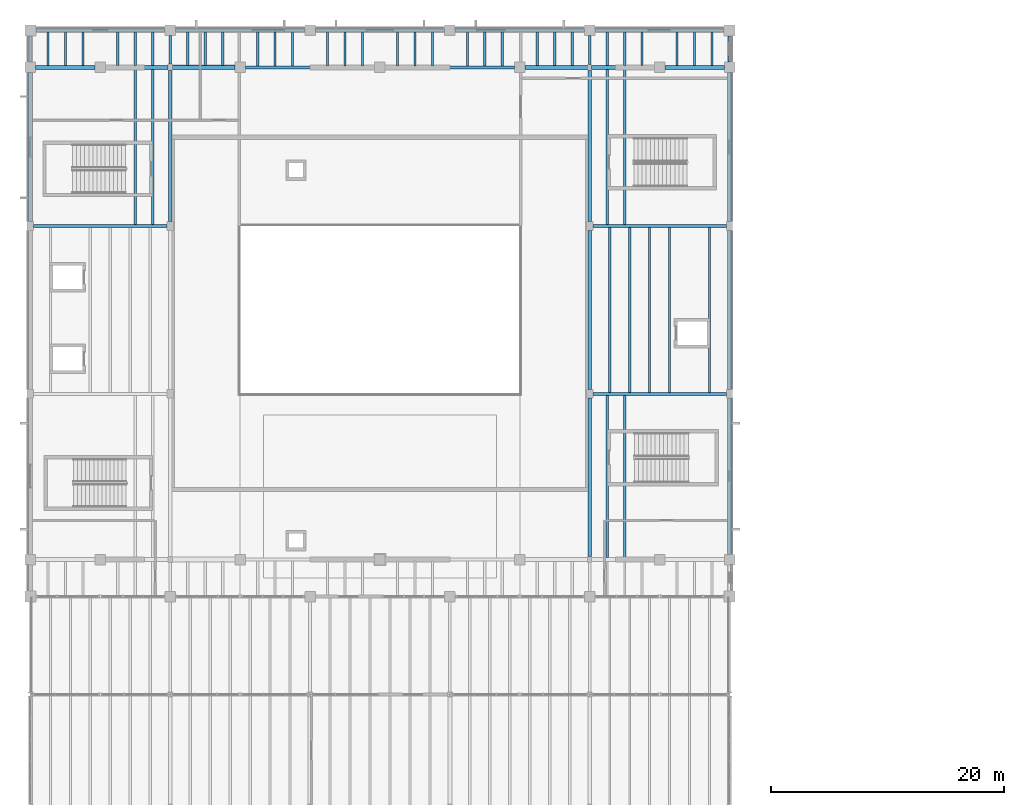
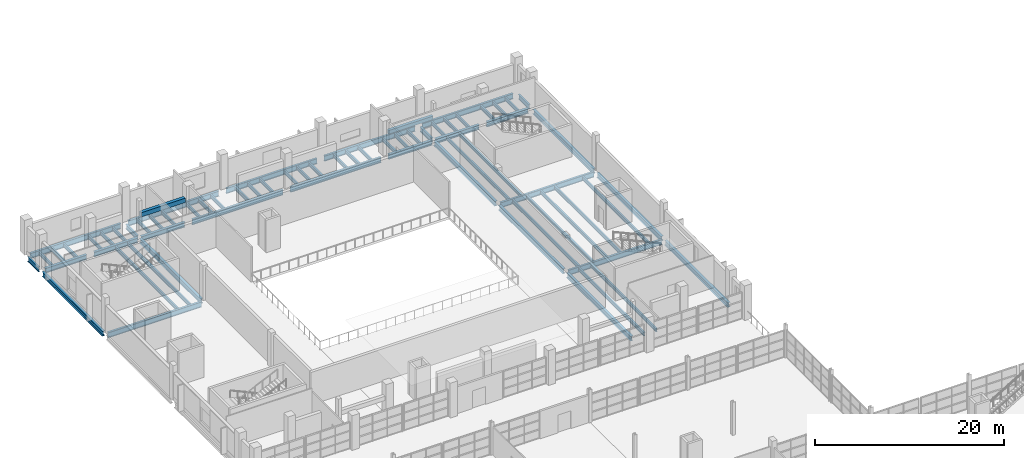
# One storey, part 61 of 114: 71 beams.
"""IFC4 building model written with IfcOpenShell, lengths in metres."""

import ifcopenshell
import ifcopenshell.guid

model = None  # the IFC model being written
_history = None  # IfcOwnerHistory: only IFC2X3 demands one
_inside = {}  # id of a spatial element -> (the spatial element, [elements in it])
_under = {}  # id of a project, library or spatial element -> (it, [spatial elements below it])
_declared = {}  # id of a project -> (the project, [libraries it declares])
_typed = {}  # id of a type object -> (the type object, [elements of that type])
_made_of = {}  # id of a material, layer set ... -> (it, [elements and type objects made of it])


def new_model(schema):
    """Start an empty IFC model of exactly this schema.

    Asked for "IFC4X3", IfcOpenShell would pick the latest addendum, in which some entities
    have other attributes; the version numbers below select the first issue.
    IFC2X3 requires an IfcOwnerHistory on every rooted entity: one is made here for all.
    """
    global model, _history
    if schema == "IFC4X3":
        model = ifcopenshell.file(schema_version=(4, 3, 0, 0))
    else:
        model = ifcopenshell.file(schema=schema)
    _inside.clear()
    _under.clear()
    _declared.clear()
    _typed.clear()
    _made_of.clear()
    _history = None
    if model.schema == "IFC2X3":
        org = make("IfcOrganization", Name="unknown")
        user = make(
            "IfcPersonAndOrganization",
            ThePerson=make("IfcPerson", FamilyName="unknown"),
            TheOrganization=org,
        )
        app = make(
            "IfcApplication",
            ApplicationDeveloper=org,
            Version="unknown",
            ApplicationFullName="unknown",
            ApplicationIdentifier="unknown",
        )
        _history = make(
            "IfcOwnerHistory",
            OwningUser=user,
            OwningApplication=app,
            ChangeAction="ADDED",
            CreationDate=0,
        )
    return model


def make(cls, **values):
    """One entity of the class cls with the attributes given. An attribute that is None is left unset."""
    return model.create_entity(
        cls, **{name: value for name, value in values.items() if value is not None}
    )


def rooted(cls, **values):
    """An entity with a GlobalId (a new one), such as an element, a storey or a relation."""
    return make(cls, GlobalId=ifcopenshell.guid.new(), OwnerHistory=_history, **values)


def si_unit(unit_type, name, prefix=None):
    """IfcSIUnit, for example si_unit("LENGTHUNIT", "METRE", prefix="MILLI")."""
    return make("IfcSIUnit", UnitType=unit_type, Prefix=prefix, Name=name)


def assignment(units):
    """IfcUnitAssignment: the units of a project."""
    return None if units is None else make("IfcUnitAssignment", Units=units)


def point(xyz):
    """IfcCartesianPoint."""
    return None if xyz is None else make("IfcCartesianPoint", Coordinates=xyz)


def direction(xyz):
    """IfcDirection."""
    return None if xyz is None else make("IfcDirection", DirectionRatios=xyz)


def frame(location, z_axis=None, x_axis=None):
    """IfcAxis2Placement3D, a coordinate frame: its origin and axes. An axis left out is left unset."""
    return make(
        "IfcAxis2Placement3D",
        Location=point(location),
        Axis=direction(z_axis),
        RefDirection=direction(x_axis),
    )


def frame_2d(location, x_axis=None):
    """IfcAxis2Placement2D, a coordinate frame in the plane: its origin and x axis."""
    return make(
        "IfcAxis2Placement2D", Location=point(location), RefDirection=direction(x_axis)
    )


def origin():
    """The frame at (0, 0, 0) with its axes left unset."""
    return frame((0.0, 0.0, 0.0))


def origin_2d():
    """The frame at (0, 0) in the plane with its x axis left unset."""
    return frame_2d((0.0, 0.0))


def place(relative_to, where):
    """IfcLocalPlacement: puts the frame where relative to a parent placement (None: the world)."""
    return make(
        "IfcLocalPlacement", PlacementRelTo=relative_to, RelativePlacement=where
    )


def context(
    kind, dimensions, precision=None, world=None, true_north=None, identifier=None
):
    """IfcGeometricRepresentationContext, for example the 3D "Model" context."""
    return make(
        "IfcGeometricRepresentationContext",
        ContextIdentifier=identifier,
        ContextType=kind,
        CoordinateSpaceDimension=dimensions,
        Precision=precision,
        WorldCoordinateSystem=world,
        TrueNorth=true_north,
    )


def subcontext(parent, identifier, kind, view, scale=None):
    """IfcGeometricRepresentationSubContext, for example "Body" below "Model"."""
    return make(
        "IfcGeometricRepresentationSubContext",
        ContextIdentifier=identifier,
        ContextType=kind,
        ParentContext=parent,
        TargetScale=scale,
        TargetView=view,
    )


def project(units=None, contexts=None):
    """IfcProject with its units and contexts."""
    return rooted(
        "IfcProject",
        Name="project",
        RepresentationContexts=contexts,
        UnitsInContext=assignment(units),
    )


def spatial(cls, under=None, at=None, **own):
    """A site, building, storey or space (cls), placed at a placement, below another one or the project."""
    s = rooted(cls, ObjectPlacement=at, **own)
    if under is not None:
        _under.setdefault(under.id(), (under, []))[1].append(s)
    return s


def profile(cls, at=None, kind="AREA", **sizes):
    """A parametric profile (cls). Its sizes go by their IFC names, for example OverallWidth=200.0."""
    return make(cls, ProfileType=kind, Position=at, **sizes)


def rectangle(**sizes):
    """IfcRectangleProfileDef."""
    return profile("IfcRectangleProfileDef", **sizes)


def i_section(**sizes):
    """IfcIShapeProfileDef."""
    return profile("IfcIShapeProfileDef", **sizes)


def extrude(swept, where, along, depth):
    """IfcExtrudedAreaSolid: the profile swept, set in the frame where, extruded along a direction by depth."""
    return make(
        "IfcExtrudedAreaSolid",
        SweptArea=swept,
        Position=where,
        ExtrudedDirection=direction(along),
        Depth=depth,
    )


def shape(context_of_items, identifier, shape_type, items):
    """IfcShapeRepresentation: the items that make up one representation, for example the "Body"."""
    return make(
        "IfcShapeRepresentation",
        ContextOfItems=context_of_items,
        RepresentationIdentifier=identifier,
        RepresentationType=shape_type,
        Items=items,
    )


def material(Name=None, Category=None):
    """IfcMaterial."""
    return make("IfcMaterial", Name=Name, Category=Category)


def material_profile(
    of_material, cross_section, Name=None, Category=None, Priority=None
):
    """IfcMaterialProfile: a cross section and its material."""
    return make(
        "IfcMaterialProfile",
        Name=Name,
        Material=of_material,
        Profile=cross_section,
        Priority=Priority,
        Category=Category,
    )


def profile_set(profiles, Name=None, composite=None):
    """IfcMaterialProfileSet."""
    return make(
        "IfcMaterialProfileSet",
        Name=Name,
        MaterialProfiles=profiles,
        CompositeProfile=composite,
    )


def made_of(thing, what):
    """Note that an element or type object is made of a material, layer set ...; save() writes the relation."""
    if what is not None:
        _made_of.setdefault(what.id(), (what, []))[1].append(thing)
    return thing


def type_object(cls, material=None, **own):
    """A type object (cls), such as IfcWallType, which elements share."""
    return made_of(rooted(cls, **own), material)


def element(
    cls,
    number,
    at=None,
    inside=None,
    cuts=None,
    type_object=None,
    material=None,
    context=None,
    identifier="Body",
    shape_type=None,
    held_by="IfcProductDefinitionShape",
    body=None,
    shapes=None,
    **own,
):
    """One element of the class cls, such as IfcWall. Its Tag is "e" and its number.

    at: its placement. inside: the storey or other place that contains it. cuts: it is an
    opening in that element (IfcRelVoidsElement). A single representation is given by context,
    identifier, shape_type and body (its items); several are given by shapes. held_by: the class
    of the entity that holds the representations. save() writes the other relations.
    """
    e = rooted(cls, Tag="e%d" % number, ObjectPlacement=at, **own)
    if body is not None:
        shapes = [shape(context, identifier, shape_type, body)]
    if shapes is not None:
        e.Representation = make(held_by, Representations=shapes)
    if inside is not None:
        _inside.setdefault(inside.id(), (inside, []))[1].append(e)
    if cuts is not None:
        rooted(
            "IfcRelVoidsElement", RelatingBuildingElement=cuts, RelatedOpeningElement=e
        )
    if type_object is not None:
        _typed.setdefault(type_object.id(), (type_object, []))[1].append(e)
    return made_of(e, material)


def aggregate(whole, parts):
    """IfcRelAggregates: a whole, such as a stair, and the parts it consists of."""
    return rooted("IfcRelAggregates", RelatingObject=whole, RelatedObjects=parts)


def save(model, path):
    """Write the relations noted so far, then the file.

    IfcRelAggregates (storeys below a building ...), IfcRelContainedInSpatialStructure (elements
    in a storey), IfcRelDefinesByType, IfcRelAssociatesMaterial and IfcRelDeclares: one each for
    every whole, place, type object, material and project.
    """
    for whole, parts in _under.values():
        aggregate(whole, parts)
    for where, things in _inside.values():
        rooted(
            "IfcRelContainedInSpatialStructure",
            RelatedElements=things,
            RelatingStructure=where,
        )
    for kind, things in _typed.values():
        rooted("IfcRelDefinesByType", RelatedObjects=things, RelatingType=kind)
    for what, things in _made_of.values():
        rooted("IfcRelAssociatesMaterial", RelatedObjects=things, RelatingMaterial=what)
    for by, libraries in _declared.values():
        rooted("IfcRelDeclares", RelatingContext=by, RelatedDefinitions=libraries)
    model.write(path)


model = new_model("IFC4")

# Units and contexts
model_context = context("Model", 3, precision=1e-05, world=origin(), true_north=direction((0.0, 1.0)))
body_context = subcontext(model_context, "Body", "Model", "MODEL_VIEW")
ifc_project = project(units=[si_unit("LENGTHUNIT", "METRE"), si_unit("AREAUNIT", "SQUARE_METRE"), si_unit("VOLUMEUNIT", "CUBIC_METRE"), si_unit("PLANEANGLEUNIT", "RADIAN"), si_unit("MASSUNIT", "GRAM", prefix="KILO")], contexts=[model_context])

# Site, building, storey
site_placement = place(None, origin())
site = spatial("IfcSite", under=ifc_project, at=site_placement, CompositionType="ELEMENT")
building_placement = place(site_placement, origin())
building = spatial("IfcBuilding", under=site, at=building_placement, Name="Kelmvaro Bay Concert Hall", CompositionType="ELEMENT")
storey_placement = place(building_placement, frame((0.0, 0.0, 4.800048828125)))
storey = spatial("IfcBuildingStorey", under=building, at=storey_placement, Name="L01", CompositionType="ELEMENT", Elevation=4.800048828125)

# Beams
ifc_material_1 = material(Name="Steel ASTM A992 Grade 50", Category="steel")
ifc_material_profile_1 = material_profile(ifc_material_1, i_section(OverallWidth=0.19189453125, OverallDepth=0.4619140625, WebThickness=0.010498046875, FlangeThickness=0.017578125, at=origin_2d()), Name="W18X60")
ifc_profile_set_1 = profile_set([ifc_material_profile_1], Name="Steel ASTM A992 Grade 50")
beam_type_1 = type_object("IfcBeamType", Name="Acoustic Box Floor Joist W18x60", PredefinedType="JOIST", material=ifc_profile_set_1)
for number, where, z_axis, x_axis, name in (
    (1, (49.5, 68.741943359375, -0.531005859375), (0.0, 1.0, 0.0), (-1.0, 0.0, 0.0), "L01 Floor Joist JST-L01-0588"),
    (2, (51.0, 68.741943359375, -0.531005859375), (0.0, 1.0, 0.0), (-1.0, 0.0, 0.0), "L01 Floor Joist JST-L01-0589"),
):
    element("IfcBeam", number, at=place(storey_placement, frame(where, z_axis=z_axis, x_axis=x_axis)), inside=storey, type_object=beam_type_1, Name=name, PredefinedType="JOIST", context=body_context, shape_type="SweptSolid", body=[
        extrude(i_section(OverallWidth=0.19189453125, OverallDepth=0.4619140625, WebThickness=0.010498046875, FlangeThickness=0.017578125, at=origin_2d()), origin(), (0.0, 0.0, 1.0), 13.93017578125),
    ])
for number, where, z_axis, x_axis, name in (
    (3, (49.71435546875, 82.927978515625, -0.531005859375), (0.0, 1.0, 0.0), (-1.0, 0.0, 0.0), "L01 Floor Joist JST-L01-0606"),
    (4, (51.4287109375, 82.927978515625, -0.531005859375), (0.0, 1.0, 0.0), (-1.0, 0.0, 0.0), "L01 Floor Joist JST-L01-0607"),
    (5, (53.142822265625, 82.927978515625, -0.531005859375), (0.0, 1.0, 0.0), (-1.0, 0.0, 0.0), "L01 Floor Joist JST-L01-0608"),
    (6, (54.857177734375, 82.927978515625, -0.531005859375), (0.0, 1.0, 0.0), (-1.0, 0.0, 0.0), "L01 Floor Joist JST-L01-0609"),
    (7, (58.28564453125, 82.927978515625, -0.531005859375), (0.0, 1.0, 0.0), (-1.0, 0.0, 0.0), "L01 Floor Joist JST-L01-0610"),
):
    element("IfcBeam", number, at=place(storey_placement, frame(where, z_axis=z_axis, x_axis=x_axis)), inside=storey, type_object=beam_type_1, Name=name, PredefinedType="JOIST", context=body_context, shape_type="SweptSolid", body=[
        extrude(i_section(OverallWidth=0.19189453125, OverallDepth=0.4619140625, WebThickness=0.010498046875, FlangeThickness=0.017578125, at=origin_2d()), origin(), (0.0, 0.0, 1.0), 14.14404296875),
    ])
for number, where, z_axis, x_axis, name in (
    (8, (9.0, 97.327880859375, -0.531005859375), (0.0, 1.0, 0.0), (-1.0, 0.0, 0.0), "L01 Floor Joist JST-L01-0639"),
    (9, (10.5, 97.327880859375, -0.531005859375), (0.0, 1.0, 0.0), (-1.0, 0.0, 0.0), "L01 Floor Joist JST-L01-0640"),
    (10, (49.5, 97.327880859375, -0.531005859375), (0.0, 1.0, 0.0), (-1.0, 0.0, 0.0), "L01 Floor Joist JST-L01-0641"),
    (11, (51.0, 97.327880859375, -0.531005859375), (0.0, 1.0, 0.0), (-1.0, 0.0, 0.0), "L01 Floor Joist JST-L01-0642"),
):
    element("IfcBeam", number, at=place(storey_placement, frame(where, z_axis=z_axis, x_axis=x_axis)), inside=storey, type_object=beam_type_1, Name=name, PredefinedType="JOIST", context=body_context, shape_type="SweptSolid", body=[
        extrude(i_section(OverallWidth=0.19189453125, OverallDepth=0.4619140625, WebThickness=0.010498046875, FlangeThickness=0.017578125, at=origin_2d()), origin(), (0.0, 0.0, 1.0), 13.330078125),
    ])
ifc_material_2 = material(Name="Concrete C40/50", Category="concrete")
ifc_material_profile_2 = material_profile(ifc_material_2, rectangle(XDim=0.39990234375, YDim=0.550048828125, at=origin_2d()), Name="RC-LNT-400X550")
ifc_profile_set_2 = profile_set([ifc_material_profile_2], Name="Concrete C40/50")
beam_type_2 = type_object("IfcBeamType", Name="Acoustic Sound Lock Lintel RC400x550", PredefinedType="LINTEL", material=ifc_profile_set_2)
beam_1_placement = place(storey_placement, frame((12.14990234375, 110.820068359375, 2.574951171875), z_axis=(1.0, 0.0, 0.0), x_axis=(0.0, 1.0, 0.0)))
element("IfcBeam", 12, at=beam_1_placement, inside=storey, type_object=beam_type_2, Name="L01 Acoustic Portal Lintel N1", PredefinedType="LINTEL", context=body_context, shape_type="SweptSolid", body=[
    extrude(rectangle(XDim=0.39990234375, YDim=0.550048828125, at=origin_2d()), origin(), (0.0, 0.0, 1.0), 5.400146484375),
])
ifc_material_3 = material(Name="Steel ASTM A992 Grade 50", Category="steel")
ifc_material_profile_3 = material_profile(ifc_material_3, i_section(OverallWidth=0.323974609375, OverallDepth=0.611083984375, WebThickness=0.0126953125, FlangeThickness=0.01904296875, at=origin_2d()), Name="W24X104")
ifc_profile_set_3 = profile_set([ifc_material_profile_3], Name="Steel ASTM A992 Grade 50")
beam_type_3 = type_object("IfcBeamType", Name="Foyer Frame Girder W24x104", PredefinedType="BEAM", material=ifc_profile_set_3)
beam_2_placement = place(storey_placement, frame((0.449951171875, 110.820068359375, -0.60546875), z_axis=(1.0, 0.0, 0.0), x_axis=(0.0, 1.0, 0.0)))
element("IfcBeam", 13, at=beam_2_placement, inside=storey, type_object=beam_type_3, Name="L01 Girder BM-L01-EW-0104", PredefinedType="BEAM", context=body_context, shape_type="SweptSolid", body=[
    extrude(i_section(OverallWidth=0.323974609375, OverallDepth=0.611083984375, WebThickness=0.0126953125, FlangeThickness=0.01904296875, at=origin_2d()), origin(), (0.0, 0.0, 1.0), 5.10009765625),
])
for number, where, z_axis, x_axis, name in (
    (14, (6.449951171875, 110.820068359375, -0.60546875), (1.0, 0.0, 0.0), (0.0, 1.0, 0.0), "L01 Girder BM-L01-EW-0105"),
    (15, (12.199951171875, 110.820068359375, -0.60546875), (1.0, 0.0, 0.0), (0.0, 1.0, 0.0), "L01 Girder BM-L01-EW-0106"),
):
    element("IfcBeam", number, at=place(storey_placement, frame(where, z_axis=z_axis, x_axis=x_axis)), inside=storey, type_object=beam_type_3, Name=name, PredefinedType="BEAM", context=body_context, shape_type="SweptSolid", body=[
        extrude(i_section(OverallWidth=0.323974609375, OverallDepth=0.611083984375, WebThickness=0.0126953125, FlangeThickness=0.01904296875, at=origin_2d()), origin(), (0.0, 0.0, 1.0), 5.35009765625),
    ])
for number, where, z_axis, x_axis, name in (
    (16, (42.449951171875, 110.820068359375, -0.60546875), (1.0, 0.0, 0.0), (0.0, 1.0, 0.0), "L01 Girder BM-L01-EW-0109"),
    (17, (48.175048828125, 110.820068359375, -0.60546875), (1.0, 0.0, 0.0), (0.0, 1.0, 0.0), "L01 Girder BM-L01-EW-0110"),
):
    element("IfcBeam", number, at=place(storey_placement, frame(where, z_axis=z_axis, x_axis=x_axis)), inside=storey, type_object=beam_type_3, Name=name, PredefinedType="BEAM", context=body_context, shape_type="SweptSolid", body=[
        extrude(i_section(OverallWidth=0.323974609375, OverallDepth=0.611083984375, WebThickness=0.0126953125, FlangeThickness=0.01904296875, at=origin_2d()), origin(), (0.0, 0.0, 1.0), 5.375),
    ])
beam_3_placement = place(storey_placement, frame((54.449951171875, 110.820068359375, -0.60546875), z_axis=(1.0, 0.0, 0.0), x_axis=(0.0, 1.0, 0.0)))
element("IfcBeam", 18, at=beam_3_placement, inside=storey, type_object=beam_type_3, Name="L01 Girder BM-L01-EW-0111", PredefinedType="BEAM", context=body_context, shape_type="SweptSolid", body=[
    extrude(i_section(OverallWidth=0.323974609375, OverallDepth=0.611083984375, WebThickness=0.0126953125, FlangeThickness=0.01904296875, at=origin_2d()), origin(), (0.0, 0.0, 1.0), 5.10009765625),
])
beam_4_placement = place(storey_placement, frame((0.0, 97.574951171875, -0.60546875), z_axis=(0.0, 1.0, 0.0), x_axis=(-1.0, 0.0, 0.0)))
element("IfcBeam", 19, at=beam_4_placement, inside=storey, type_object=beam_type_3, Name="L01 Girder BM-L01-NS-0126", PredefinedType="BEAM", context=body_context, shape_type="SweptSolid", body=[
    extrude(i_section(OverallWidth=0.323974609375, OverallDepth=0.611083984375, WebThickness=0.0126953125, FlangeThickness=0.01904296875, at=origin_2d()), origin(), (0.0, 0.0, 1.0), 12.795166015625),
])
beam_5_placement = place(storey_placement, frame((12.0, 97.574951171875, -0.60546875), z_axis=(0.0, 1.0, 0.0), x_axis=(-1.0, 0.0, 0.0)))
element("IfcBeam", 20, at=beam_5_placement, inside=storey, type_object=beam_type_3, Name="L01 Girder BM-L01-NS-0137", PredefinedType="BEAM", context=body_context, shape_type="SweptSolid", body=[
    extrude(i_section(OverallWidth=0.323974609375, OverallDepth=0.611083984375, WebThickness=0.0126953125, FlangeThickness=0.01904296875, at=origin_2d()), origin(), (0.0, 0.0, 1.0), 12.969970703125),
])
beam_6_placement = place(storey_placement, frame((48.0, 68.830078125, -0.60546875), z_axis=(0.0, 1.0, 0.0), x_axis=(-1.0, 0.0, 0.0)))
element("IfcBeam", 21, at=beam_6_placement, inside=storey, type_object=beam_type_3, Name="L01 Girder BM-L01-NS-0155", PredefinedType="BEAM", context=body_context, shape_type="SweptSolid", body=[
    extrude(i_section(OverallWidth=0.323974609375, OverallDepth=0.611083984375, WebThickness=0.0126953125, FlangeThickness=0.01904296875, at=origin_2d()), origin(), (0.0, 0.0, 1.0), 13.594970703125),
])
beam_7_placement = place(storey_placement, frame((48.0, 83.175048828125, -0.60546875), z_axis=(0.0, 1.0, 0.0), x_axis=(-1.0, 0.0, 0.0)))
element("IfcBeam", 22, at=beam_7_placement, inside=storey, type_object=beam_type_3, Name="L01 Girder BM-L01-NS-0156", PredefinedType="BEAM", context=body_context, shape_type="SweptSolid", body=[
    extrude(i_section(OverallWidth=0.323974609375, OverallDepth=0.611083984375, WebThickness=0.0126953125, FlangeThickness=0.01904296875, at=origin_2d()), origin(), (0.0, 0.0, 1.0), 13.64990234375),
])
beam_8_placement = place(storey_placement, frame((48.0, 97.574951171875, -0.60546875), z_axis=(0.0, 1.0, 0.0), x_axis=(-1.0, 0.0, 0.0)))
element("IfcBeam", 23, at=beam_8_placement, inside=storey, type_object=beam_type_3, Name="L01 Girder BM-L01-NS-0157", PredefinedType="BEAM", context=body_context, shape_type="SweptSolid", body=[
    extrude(i_section(OverallWidth=0.323974609375, OverallDepth=0.611083984375, WebThickness=0.0126953125, FlangeThickness=0.01904296875, at=origin_2d()), origin(), (0.0, 0.0, 1.0), 12.9951171875),
])
beam_9_placement = place(storey_placement, frame((60.0, 69.030029296875, -0.60546875), z_axis=(0.0, 1.0, 0.0), x_axis=(-1.0, 0.0, 0.0)))
element("IfcBeam", 24, at=beam_9_placement, inside=storey, type_object=beam_type_3, Name="L01 Girder BM-L01-NS-0164", PredefinedType="BEAM", context=body_context, shape_type="SweptSolid", body=[
    extrude(i_section(OverallWidth=0.323974609375, OverallDepth=0.611083984375, WebThickness=0.0126953125, FlangeThickness=0.01904296875, at=origin_2d()), origin(), (0.0, 0.0, 1.0), 13.39501953125),
])
beam_10_placement = place(storey_placement, frame((60.0, 83.175048828125, -0.60546875), z_axis=(0.0, 1.0, 0.0), x_axis=(-1.0, 0.0, 0.0)))
element("IfcBeam", 25, at=beam_10_placement, inside=storey, type_object=beam_type_3, Name="L01 Girder BM-L01-NS-0165", PredefinedType="BEAM", context=body_context, shape_type="SweptSolid", body=[
    extrude(i_section(OverallWidth=0.323974609375, OverallDepth=0.611083984375, WebThickness=0.0126953125, FlangeThickness=0.01904296875, at=origin_2d()), origin(), (0.0, 0.0, 1.0), 13.64990234375),
])
beam_11_placement = place(storey_placement, frame((60.0, 97.574951171875, -0.60546875), z_axis=(0.0, 1.0, 0.0), x_axis=(-1.0, 0.0, 0.0)))
element("IfcBeam", 26, at=beam_11_placement, inside=storey, type_object=beam_type_3, Name="L01 Girder BM-L01-NS-0166", PredefinedType="BEAM", context=body_context, shape_type="SweptSolid", body=[
    extrude(i_section(OverallWidth=0.323974609375, OverallDepth=0.611083984375, WebThickness=0.0126953125, FlangeThickness=0.01904296875, at=origin_2d()), origin(), (0.0, 0.0, 1.0), 12.795166015625),
])
ifc_material_4 = material(Name="Steel ASTM A992 Grade 50", Category="steel")
ifc_material_profile_4 = material_profile(ifc_material_4, i_section(OverallWidth=0.256103515625, OverallDepth=0.693115234375, WebThickness=0.014404296875, FlangeThickness=0.023681640625, at=origin_2d()), Name="W27X114")
ifc_profile_set_4 = profile_set([ifc_material_profile_4], Name="Steel ASTM A992 Grade 50")
beam_type_4 = type_object("IfcBeamType", Name="Foyer Primary Girder W27x114", PredefinedType="BEAM", material=ifc_profile_set_4)
for number, where, z_axis, x_axis, name in (
    (27, (48.27490234375, 82.800048828125, -0.646484375), (1.0, 0.0, 0.0), (0.0, 1.0, 0.0), "L01 Girder BM-L01-EW-0092"),
    (28, (0.27490234375, 97.199951171875, -0.646484375), (1.0, 0.0, 0.0), (0.0, 1.0, 0.0), "L01 Girder BM-L01-EW-0098"),
    (29, (48.27490234375, 97.199951171875, -0.646484375), (1.0, 0.0, 0.0), (0.0, 1.0, 0.0), "L01 Girder BM-L01-EW-0099"),
):
    element("IfcBeam", number, at=place(storey_placement, frame(where, z_axis=z_axis, x_axis=x_axis)), inside=storey, type_object=beam_type_4, Name=name, PredefinedType="BEAM", context=body_context, shape_type="SweptSolid", body=[
        extrude(i_section(OverallWidth=0.256103515625, OverallDepth=0.693115234375, WebThickness=0.014404296875, FlangeThickness=0.023681640625, at=origin_2d()), origin(), (0.0, 0.0, 1.0), 11.4501953125),
    ])
for number, where, z_axis, x_axis, name in (
    (30, (18.449951171875, 110.820068359375, -0.646484375), (1.0, 0.0, 0.0), (0.0, 1.0, 0.0), "L01 Girder BM-L01-EW-0107"),
    (31, (30.449951171875, 110.820068359375, -0.646484375), (1.0, 0.0, 0.0), (0.0, 1.0, 0.0), "L01 Girder BM-L01-EW-0108"),
):
    element("IfcBeam", number, at=place(storey_placement, frame(where, z_axis=z_axis, x_axis=x_axis)), inside=storey, type_object=beam_type_4, Name=name, PredefinedType="BEAM", context=body_context, shape_type="SweptSolid", body=[
        extrude(i_section(OverallWidth=0.256103515625, OverallDepth=0.693115234375, WebThickness=0.014404296875, FlangeThickness=0.023681640625, at=origin_2d()), origin(), (0.0, 0.0, 1.0), 11.10009765625),
    ])
beam_12_placement = place(storey_placement, frame((0.47509765625, 114.0, -0.646484375), z_axis=(1.0, 0.0, 0.0), x_axis=(0.0, 1.0, 0.0)))
element("IfcBeam", 32, at=beam_12_placement, inside=storey, type_object=beam_type_4, Name="L01 Girder BM-L01-EW-0112", PredefinedType="BEAM", context=body_context, shape_type="SweptSolid", body=[
    extrude(i_section(OverallWidth=0.256103515625, OverallDepth=0.693115234375, WebThickness=0.014404296875, FlangeThickness=0.023681640625, at=origin_2d()), origin(), (0.0, 0.0, 1.0), 11.074951171875),
])
for number, where, z_axis, x_axis, name in (
    (33, (12.449951171875, 114.0, -0.646484375), (1.0, 0.0, 0.0), (0.0, 1.0, 0.0), "L01 Girder BM-L01-EW-0113"),
    (34, (24.449951171875, 114.0, -0.646484375), (1.0, 0.0, 0.0), (0.0, 1.0, 0.0), "L01 Girder BM-L01-EW-0114"),
    (35, (36.449951171875, 114.0, -0.646484375), (1.0, 0.0, 0.0), (0.0, 1.0, 0.0), "L01 Girder BM-L01-EW-0115"),
):
    element("IfcBeam", number, at=place(storey_placement, frame(where, z_axis=z_axis, x_axis=x_axis)), inside=storey, type_object=beam_type_4, Name=name, PredefinedType="BEAM", context=body_context, shape_type="SweptSolid", body=[
        extrude(i_section(OverallWidth=0.256103515625, OverallDepth=0.693115234375, WebThickness=0.014404296875, FlangeThickness=0.023681640625, at=origin_2d()), origin(), (0.0, 0.0, 1.0), 11.10009765625),
    ])
beam_13_placement = place(storey_placement, frame((48.449951171875, 114.0, -0.646484375), z_axis=(1.0, 0.0, 0.0), x_axis=(0.0, 1.0, 0.0)))
element("IfcBeam", 36, at=beam_13_placement, inside=storey, type_object=beam_type_4, Name="L01 Girder BM-L01-EW-0116", PredefinedType="BEAM", context=body_context, shape_type="SweptSolid", body=[
    extrude(i_section(OverallWidth=0.256103515625, OverallDepth=0.693115234375, WebThickness=0.014404296875, FlangeThickness=0.023681640625, at=origin_2d()), origin(), (0.0, 0.0, 1.0), 11.074951171875),
])
ifc_material_5 = material(Name="Concrete C40/50", Category="concrete")
ifc_material_profile_5 = material_profile(ifc_material_5, rectangle(XDim=0.35009765625, YDim=0.449951171875, at=origin_2d()), Name="RC-LNT-350X450")
ifc_profile_set_5 = profile_set([ifc_material_profile_5], Name="Concrete C40/50")
beam_type_5 = type_object("IfcBeamType", Name="Service Opening Lintel RC350x450", PredefinedType="LINTEL", material=ifc_profile_set_5)
beam_14_placement = place(storey_placement, frame((42.449951171875, 110.820068359375, 2.625), z_axis=(1.0, 0.0, 0.0), x_axis=(0.0, 1.0, 0.0)))
element("IfcBeam", 37, at=beam_14_placement, inside=storey, type_object=beam_type_5, Name="L01 Acoustic Portal Lintel N2", PredefinedType="LINTEL", context=body_context, shape_type="SweptSolid", body=[
    extrude(rectangle(XDim=0.35009765625, YDim=0.449951171875, at=origin_2d()), origin(), (0.0, 0.0, 1.0), 5.400146484375),
])
ifc_material_6 = material(Name="Steel ASTM A992 Grade 50", Category="steel")
ifc_material_profile_6 = material_profile(ifc_material_6, i_section(OverallWidth=0.19091796875, OverallDepth=0.45703125, WebThickness=0.009033203125, FlangeThickness=0.014404296875, at=origin_2d()), Name="W18X50")
ifc_profile_set_6 = profile_set([ifc_material_profile_6], Name="Steel ASTM A992 Grade 50")
beam_type_6 = type_object("IfcBeamType", Name="Standard Composite Floor Joist W18x50", PredefinedType="JOIST", material=ifc_profile_set_6)
for number, where, z_axis, x_axis, name in (
    (38, (1.5, 110.98193359375, -0.528564453125), (0.0, 1.0, 0.0), (-1.0, 0.0, 0.0), "L01 Floor Joist JST-L01-0643"),
    (39, (3.0, 110.98193359375, -0.528564453125), (0.0, 1.0, 0.0), (-1.0, 0.0, 0.0), "L01 Floor Joist JST-L01-0644"),
    (40, (4.5, 110.98193359375, -0.528564453125), (0.0, 1.0, 0.0), (-1.0, 0.0, 0.0), "L01 Floor Joist JST-L01-0645"),
    (41, (7.5, 110.98193359375, -0.528564453125), (0.0, 1.0, 0.0), (-1.0, 0.0, 0.0), "L01 Floor Joist JST-L01-0646"),
    (42, (9.0, 110.98193359375, -0.528564453125), (0.0, 1.0, 0.0), (-1.0, 0.0, 0.0), "L01 Floor Joist JST-L01-0647"),
    (43, (10.5, 110.98193359375, -0.528564453125), (0.0, 1.0, 0.0), (-1.0, 0.0, 0.0), "L01 Floor Joist JST-L01-0648"),
    (44, (13.5, 110.98193359375, -0.528564453125), (0.0, 1.0, 0.0), (-1.0, 0.0, 0.0), "L01 Floor Joist JST-L01-0649"),
    (45, (15.0, 110.98193359375, -0.528564453125), (0.0, 1.0, 0.0), (-1.0, 0.0, 0.0), "L01 Floor Joist JST-L01-0650"),
    (46, (16.5, 110.98193359375, -0.528564453125), (0.0, 1.0, 0.0), (-1.0, 0.0, 0.0), "L01 Floor Joist JST-L01-0651"),
):
    element("IfcBeam", number, at=place(storey_placement, frame(where, z_axis=z_axis, x_axis=x_axis)), inside=storey, type_object=beam_type_6, Name=name, PredefinedType="JOIST", context=body_context, shape_type="SweptSolid", body=[
        extrude(i_section(OverallWidth=0.19091796875, OverallDepth=0.45703125, WebThickness=0.009033203125, FlangeThickness=0.014404296875, at=origin_2d()), origin(), (0.0, 0.0, 1.0), 2.89013671875),
    ])
for number, where, z_axis, x_axis, name in (
    (47, (19.5, 110.947998046875, -0.528564453125), (0.0, 1.0, 0.0), (-1.0, 0.0, 0.0), "L01 Floor Joist JST-L01-0652"),
    (48, (21.0, 110.947998046875, -0.528564453125), (0.0, 1.0, 0.0), (-1.0, 0.0, 0.0), "L01 Floor Joist JST-L01-0653"),
    (49, (22.5, 110.947998046875, -0.528564453125), (0.0, 1.0, 0.0), (-1.0, 0.0, 0.0), "L01 Floor Joist JST-L01-0654"),
    (50, (25.5, 110.947998046875, -0.528564453125), (0.0, 1.0, 0.0), (-1.0, 0.0, 0.0), "L01 Floor Joist JST-L01-0655"),
    (51, (27.0, 110.947998046875, -0.528564453125), (0.0, 1.0, 0.0), (-1.0, 0.0, 0.0), "L01 Floor Joist JST-L01-0656"),
    (52, (28.5, 110.947998046875, -0.528564453125), (0.0, 1.0, 0.0), (-1.0, 0.0, 0.0), "L01 Floor Joist JST-L01-0657"),
    (53, (31.5, 110.947998046875, -0.528564453125), (0.0, 1.0, 0.0), (-1.0, 0.0, 0.0), "L01 Floor Joist JST-L01-0658"),
    (54, (33.0, 110.947998046875, -0.528564453125), (0.0, 1.0, 0.0), (-1.0, 0.0, 0.0), "L01 Floor Joist JST-L01-0659"),
    (55, (34.5, 110.947998046875, -0.528564453125), (0.0, 1.0, 0.0), (-1.0, 0.0, 0.0), "L01 Floor Joist JST-L01-0660"),
    (56, (37.5, 110.947998046875, -0.528564453125), (0.0, 1.0, 0.0), (-1.0, 0.0, 0.0), "L01 Floor Joist JST-L01-0661"),
    (57, (39.0, 110.947998046875, -0.528564453125), (0.0, 1.0, 0.0), (-1.0, 0.0, 0.0), "L01 Floor Joist JST-L01-0662"),
    (58, (40.5, 110.947998046875, -0.528564453125), (0.0, 1.0, 0.0), (-1.0, 0.0, 0.0), "L01 Floor Joist JST-L01-0663"),
):
    element("IfcBeam", number, at=place(storey_placement, frame(where, z_axis=z_axis, x_axis=x_axis)), inside=storey, type_object=beam_type_6, Name=name, PredefinedType="JOIST", context=body_context, shape_type="SweptSolid", body=[
        extrude(i_section(OverallWidth=0.19091796875, OverallDepth=0.45703125, WebThickness=0.009033203125, FlangeThickness=0.014404296875, at=origin_2d()), origin(), (0.0, 0.0, 1.0), 2.924072265625),
    ])
for number, where, z_axis, x_axis, name in (
    (59, (43.5, 110.98193359375, -0.528564453125), (0.0, 1.0, 0.0), (-1.0, 0.0, 0.0), "L01 Floor Joist JST-L01-0664"),
    (60, (45.0, 110.98193359375, -0.528564453125), (0.0, 1.0, 0.0), (-1.0, 0.0, 0.0), "L01 Floor Joist JST-L01-0665"),
    (61, (46.5, 110.98193359375, -0.528564453125), (0.0, 1.0, 0.0), (-1.0, 0.0, 0.0), "L01 Floor Joist JST-L01-0666"),
    (62, (49.5, 110.98193359375, -0.528564453125), (0.0, 1.0, 0.0), (-1.0, 0.0, 0.0), "L01 Floor Joist JST-L01-0667"),
    (63, (51.0, 110.98193359375, -0.528564453125), (0.0, 1.0, 0.0), (-1.0, 0.0, 0.0), "L01 Floor Joist JST-L01-0668"),
    (64, (52.5, 110.98193359375, -0.528564453125), (0.0, 1.0, 0.0), (-1.0, 0.0, 0.0), "L01 Floor Joist JST-L01-0669"),
    (65, (55.5, 110.98193359375, -0.528564453125), (0.0, 1.0, 0.0), (-1.0, 0.0, 0.0), "L01 Floor Joist JST-L01-0670"),
    (66, (57.0, 110.98193359375, -0.528564453125), (0.0, 1.0, 0.0), (-1.0, 0.0, 0.0), "L01 Floor Joist JST-L01-0671"),
    (67, (58.5, 110.98193359375, -0.528564453125), (0.0, 1.0, 0.0), (-1.0, 0.0, 0.0), "L01 Floor Joist JST-L01-0672"),
):
    element("IfcBeam", number, at=place(storey_placement, frame(where, z_axis=z_axis, x_axis=x_axis)), inside=storey, type_object=beam_type_6, Name=name, PredefinedType="JOIST", context=body_context, shape_type="SweptSolid", body=[
        extrude(i_section(OverallWidth=0.19091796875, OverallDepth=0.45703125, WebThickness=0.009033203125, FlangeThickness=0.014404296875, at=origin_2d()), origin(), (0.0, 0.0, 1.0), 2.89013671875),
    ])
ifc_material_7 = material(Name="Steel ASTM A992 Grade 50", Category="steel")
ifc_material_profile_7 = material_profile(ifc_material_7, i_section(OverallWidth=0.22900390625, OverallDepth=0.612060546875, WebThickness=0.011962890625, FlangeThickness=0.01953125, at=origin_2d()), Name="W24X84")
ifc_profile_set_7 = profile_set([ifc_material_profile_7], Name="Steel ASTM A992 Grade 50")
beam_type_7 = type_object("IfcBeamType", Name="Terrace Edge Girder W24x84", PredefinedType="BEAM", material=ifc_profile_set_7)
beam_15_placement = place(storey_placement, frame((0.0, 111.27001953125, -0.60595703125), z_axis=(0.0, 1.0, 0.0), x_axis=(-1.0, 0.0, 0.0)))
element("IfcBeam", 68, at=beam_15_placement, inside=storey, type_object=beam_type_7, Name="L01 Girder BM-L01-NS-0127", PredefinedType="BEAM", context=body_context, shape_type="SweptSolid", body=[
    extrude(i_section(OverallWidth=0.22900390625, OverallDepth=0.612060546875, WebThickness=0.011962890625, FlangeThickness=0.01953125, at=origin_2d()), origin(), (0.0, 0.0, 1.0), 2.2548828125),
])
beam_16_placement = place(storey_placement, frame((12.0, 111.094970703125, -0.60595703125), z_axis=(0.0, 1.0, 0.0), x_axis=(-1.0, 0.0, 0.0)))
element("IfcBeam", 69, at=beam_16_placement, inside=storey, type_object=beam_type_7, Name="L01 Girder BM-L01-NS-0138", PredefinedType="BEAM", context=body_context, shape_type="SweptSolid", body=[
    extrude(i_section(OverallWidth=0.22900390625, OverallDepth=0.612060546875, WebThickness=0.011962890625, FlangeThickness=0.01953125, at=origin_2d()), origin(), (0.0, 0.0, 1.0), 2.455078125),
])
beam_17_placement = place(storey_placement, frame((48.0, 111.070068359375, -0.60595703125), z_axis=(0.0, 1.0, 0.0), x_axis=(-1.0, 0.0, 0.0)))
element("IfcBeam", 70, at=beam_17_placement, inside=storey, type_object=beam_type_7, Name="L01 Girder BM-L01-NS-0158", PredefinedType="BEAM", context=body_context, shape_type="SweptSolid", body=[
    extrude(i_section(OverallWidth=0.22900390625, OverallDepth=0.612060546875, WebThickness=0.011962890625, FlangeThickness=0.01953125, at=origin_2d()), origin(), (0.0, 0.0, 1.0), 2.47998046875),
])
beam_18_placement = place(storey_placement, frame((60.0, 111.27001953125, -0.60595703125), z_axis=(0.0, 1.0, 0.0), x_axis=(-1.0, 0.0, 0.0)))
element("IfcBeam", 71, at=beam_18_placement, inside=storey, type_object=beam_type_7, Name="L01 Girder BM-L01-NS-0167", PredefinedType="BEAM", context=body_context, shape_type="SweptSolid", body=[
    extrude(i_section(OverallWidth=0.22900390625, OverallDepth=0.612060546875, WebThickness=0.011962890625, FlangeThickness=0.01953125, at=origin_2d()), origin(), (0.0, 0.0, 1.0), 2.2548828125),
])

save(model, "model.ifc")
